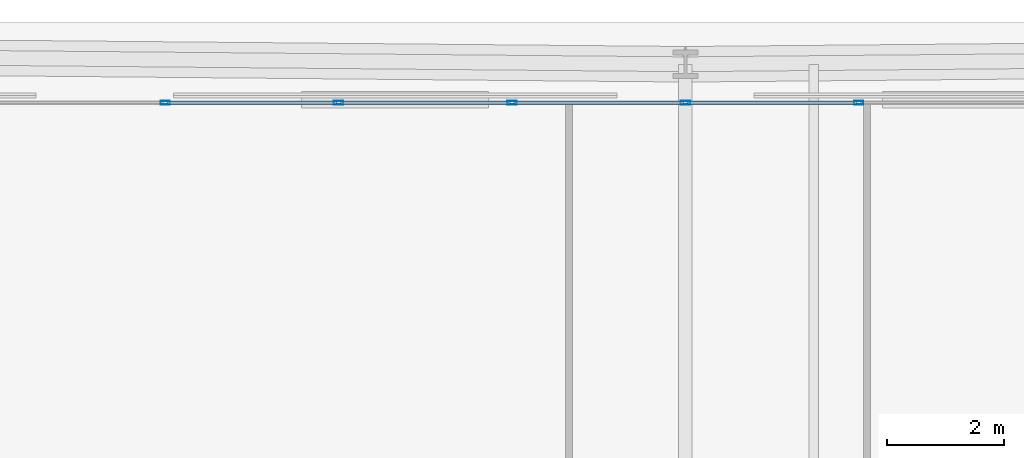
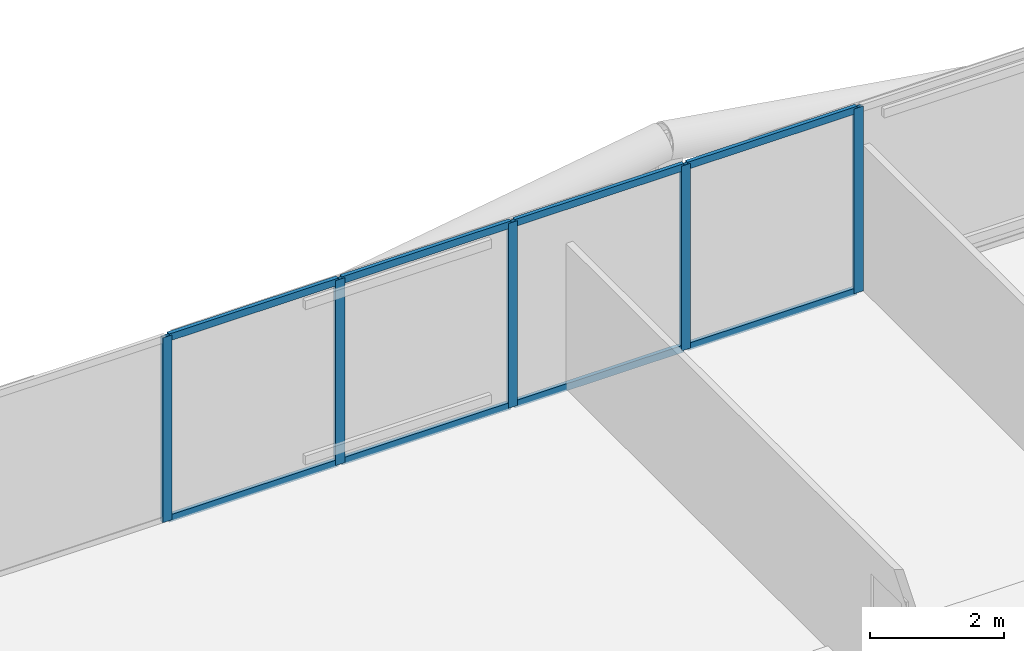
# One storey, part 35 of 50: 13 members, 1 element without a shape of its own.
"""IFC4 building model written with IfcOpenShell, lengths in metres."""

from ifc_helpers import new_model, si_unit, direction, frame, origin, origin_2d, place, context, subcontext, project, spatial, hollow_rectangle, extrude, material, layer, layer_set, material_profile, profile_set, type_object, element, aggregate, save


model = new_model("IFC4")

# Units and contexts
model_context = context("Model", 3, precision=1e-05, world=origin(), true_north=direction((0.0, 1.0)))
body_context = subcontext(model_context, "Body", "Model", "MODEL_VIEW")
ifc_project = project(units=[si_unit("LENGTHUNIT", "METRE"), si_unit("AREAUNIT", "SQUARE_METRE"), si_unit("VOLUMEUNIT", "CUBIC_METRE"), si_unit("PLANEANGLEUNIT", "RADIAN"), si_unit("MASSUNIT", "GRAM", prefix="KILO")], contexts=[model_context])

# Site, building, storey
site_placement = place(None, origin())
site = spatial("IfcSite", under=ifc_project, at=site_placement, CompositionType="ELEMENT")
building_placement = place(site_placement, origin())
building = spatial("IfcBuilding", under=site, at=building_placement, Name="Caelvoria Tower", CompositionType="ELEMENT")
storey_placement = place(building_placement, frame((0.0, 0.0, 71.199951171875)))
storey = spatial("IfcBuildingStorey", under=building, at=storey_placement, Name="L18", CompositionType="ELEMENT", Elevation=71.199951171875)

# Curtain wall, members
ifc_material_1 = material(Name="Anodised Bronze Aluminium and Low-E Glass", Category="aluminium")
ifc_layer = layer(ifc_material_1, 0.18505859375, Name="Anodised Bronze Aluminium and Low-E Glass")
ifc_layer_set = layer_set([ifc_layer], Name="CW System 2 Lower Tower Bronze Unitised Facade - Anodised Bronze Aluminium and Low-E Glass")
curtain_wall_type = type_object("IfcCurtainWallType", Name="CW System 2 Lower Tower Bronze Unitised Facade", PredefinedType="NOTDEFINED", material=ifc_layer_set)
curtain_wall_placement = place(storey_placement, origin())
curtain_wall = element("IfcCurtainWall", 1, at=curtain_wall_placement, inside=storey, type_object=curtain_wall_type, Name="CW-02 Curtain Wall L18-E4", PredefinedType="NOTDEFINED")
ifc_material_2 = material(Name="Anodised Bronze Architectural Aluminium", Category="aluminium")
ifc_material_profile_1 = material_profile(ifc_material_2, hollow_rectangle(XDim=0.06494140625, YDim=0.159912109375, WallThickness=0.00390625, at=origin_2d()), Name="Anodised Bronze Architectural Aluminium")
ifc_profile_set_1 = profile_set([ifc_material_profile_1], Name="CW_MULL_65X160 - Anodised Bronze Architectural Aluminium")
member_type_1 = type_object("IfcMemberType", Name="Curtain Wall Mullion 65x160 Bronze Aluminium", PredefinedType="MULLION", material=ifc_profile_set_1)
member_1_placement = place(storey_placement, frame((48.971435546875, 53.820068359375, 0.0), z_axis=(0.0, 0.0, 1.0), x_axis=(0.0, -1.0, 0.0)))
member_1 = element("IfcMember", 2, at=member_1_placement, type_object=member_type_1, Name="CW-02 mullion 7", PredefinedType="MULLION", context=body_context, shape_type="SweptSolid", body=[
    extrude(hollow_rectangle(XDim=0.06494140625, YDim=0.159912109375, WallThickness=0.00390625, at=origin_2d()), origin(), (0.0, 0.0, 1.0), 3.360107421875),
])
member_2_placement = place(storey_placement, frame((46.0, 53.820068359375, 0.0), z_axis=(0.0, 0.0, 1.0), x_axis=(0.0, -1.0, 0.0)))
member_2 = element("IfcMember", 3, at=member_2_placement, type_object=member_type_1, Name="CW-02 mullion 8", PredefinedType="MULLION", context=body_context, shape_type="SweptSolid", body=[
    extrude(hollow_rectangle(XDim=0.06494140625, YDim=0.159912109375, WallThickness=0.00390625, at=origin_2d()), origin(), (0.0, 0.0, 1.0), 3.360107421875),
])
member_3_placement = place(storey_placement, frame((43.028564453125, 53.820068359375, 0.0), z_axis=(0.0, 0.0, 1.0), x_axis=(0.0, -1.0, 0.0)))
member_3 = element("IfcMember", 4, at=member_3_placement, type_object=member_type_1, Name="CW-02 mullion 9", PredefinedType="MULLION", context=body_context, shape_type="SweptSolid", body=[
    extrude(hollow_rectangle(XDim=0.06494140625, YDim=0.159912109375, WallThickness=0.00390625, at=origin_2d()), origin(), (0.0, 0.0, 1.0), 3.360107421875),
])
member_4_placement = place(storey_placement, frame((40.05712890625, 53.820068359375, 0.0), z_axis=(0.0, 0.0, 1.0), x_axis=(0.0, -1.0, 0.0)))
member_4 = element("IfcMember", 5, at=member_4_placement, type_object=member_type_1, Name="CW-02 mullion 10", PredefinedType="MULLION", context=body_context, shape_type="SweptSolid", body=[
    extrude(hollow_rectangle(XDim=0.06494140625, YDim=0.159912109375, WallThickness=0.00390625, at=origin_2d()), origin(), (0.0, 0.0, 1.0), 3.360107421875),
])
member_5_placement = place(storey_placement, frame((37.085693359375, 53.820068359375, 0.0), z_axis=(0.0, 0.0, 1.0), x_axis=(0.0, -1.0, 0.0)))
member_5 = element("IfcMember", 6, at=member_5_placement, type_object=member_type_1, Name="CW-02 mullion 11", PredefinedType="MULLION", context=body_context, shape_type="SweptSolid", body=[
    extrude(hollow_rectangle(XDim=0.06494140625, YDim=0.159912109375, WallThickness=0.00390625, at=origin_2d()), origin(), (0.0, 0.0, 1.0), 3.360107421875),
])
ifc_material_profile_2 = material_profile(ifc_material_2, hollow_rectangle(XDim=0.06494140625, YDim=0.1298828125, WallThickness=0.00341796875, at=origin_2d()), Name="Anodised Bronze Architectural Aluminium")
ifc_profile_set_2 = profile_set([ifc_material_profile_2], Name="CW_TRAN_65X130 - Anodised Bronze Architectural Aluminium")
member_type_2 = type_object("IfcMemberType", Name="Curtain Wall Transom 65x130 Bronze Aluminium", PredefinedType="USERDEFINED", material=ifc_profile_set_2)
member_6_placement = place(storey_placement, frame((48.93896484375, 53.820068359375, 0.032470703125), z_axis=(-1.0, 0.0, 0.0), x_axis=(0.0, -1.0, 0.0)))
member_6 = element("IfcMember", 7, at=member_6_placement, type_object=member_type_2, Name="CW-02 transom 7.1", ObjectType="TRANSOM", PredefinedType="USERDEFINED", context=body_context, shape_type="SweptSolid", body=[
    extrude(hollow_rectangle(XDim=0.06494140625, YDim=0.1298828125, WallThickness=0.00341796875, at=origin_2d()), origin(), (0.0, 0.0, 1.0), 2.906494140625),
])
member_7_placement = place(storey_placement, frame((48.93896484375, 53.820068359375, 3.32763671875), z_axis=(-1.0, 0.0, 0.0), x_axis=(0.0, -1.0, 0.0)))
member_7 = element("IfcMember", 8, at=member_7_placement, type_object=member_type_2, Name="CW-02 transom 7.2", ObjectType="TRANSOM", PredefinedType="USERDEFINED", context=body_context, shape_type="SweptSolid", body=[
    extrude(hollow_rectangle(XDim=0.06494140625, YDim=0.1298828125, WallThickness=0.00341796875, at=origin_2d()), origin(), (0.0, 0.0, 1.0), 2.906494140625),
])
member_8_placement = place(storey_placement, frame((45.967529296875, 53.820068359375, 0.032470703125), z_axis=(-1.0, 0.0, 0.0), x_axis=(0.0, -1.0, 0.0)))
member_8 = element("IfcMember", 9, at=member_8_placement, type_object=member_type_2, Name="CW-02 transom 8.1", ObjectType="TRANSOM", PredefinedType="USERDEFINED", context=body_context, shape_type="SweptSolid", body=[
    extrude(hollow_rectangle(XDim=0.06494140625, YDim=0.1298828125, WallThickness=0.00341796875, at=origin_2d()), origin(), (0.0, 0.0, 1.0), 2.906494140625),
])
member_9_placement = place(storey_placement, frame((45.967529296875, 53.820068359375, 3.32763671875), z_axis=(-1.0, 0.0, 0.0), x_axis=(0.0, -1.0, 0.0)))
member_9 = element("IfcMember", 10, at=member_9_placement, type_object=member_type_2, Name="CW-02 transom 8.2", ObjectType="TRANSOM", PredefinedType="USERDEFINED", context=body_context, shape_type="SweptSolid", body=[
    extrude(hollow_rectangle(XDim=0.06494140625, YDim=0.1298828125, WallThickness=0.00341796875, at=origin_2d()), origin(), (0.0, 0.0, 1.0), 2.906494140625),
])
member_10_placement = place(storey_placement, frame((42.99609375, 53.820068359375, 0.032470703125), z_axis=(-1.0, 0.0, 0.0), x_axis=(0.0, -1.0, 0.0)))
member_10 = element("IfcMember", 11, at=member_10_placement, type_object=member_type_2, Name="CW-02 transom 9.1", ObjectType="TRANSOM", PredefinedType="USERDEFINED", context=body_context, shape_type="SweptSolid", body=[
    extrude(hollow_rectangle(XDim=0.06494140625, YDim=0.1298828125, WallThickness=0.00341796875, at=origin_2d()), origin(), (0.0, 0.0, 1.0), 2.906494140625),
])
member_11_placement = place(storey_placement, frame((42.99609375, 53.820068359375, 3.32763671875), z_axis=(-1.0, 0.0, 0.0), x_axis=(0.0, -1.0, 0.0)))
member_11 = element("IfcMember", 12, at=member_11_placement, type_object=member_type_2, Name="CW-02 transom 9.2", ObjectType="TRANSOM", PredefinedType="USERDEFINED", context=body_context, shape_type="SweptSolid", body=[
    extrude(hollow_rectangle(XDim=0.06494140625, YDim=0.1298828125, WallThickness=0.00341796875, at=origin_2d()), origin(), (0.0, 0.0, 1.0), 2.906494140625),
])
member_12_placement = place(storey_placement, frame((40.024658203125, 53.820068359375, 0.032470703125), z_axis=(-1.0, 0.0, 0.0), x_axis=(0.0, -1.0, 0.0)))
member_12 = element("IfcMember", 13, at=member_12_placement, type_object=member_type_2, Name="CW-02 transom 10.1", ObjectType="TRANSOM", PredefinedType="USERDEFINED", context=body_context, shape_type="SweptSolid", body=[
    extrude(hollow_rectangle(XDim=0.06494140625, YDim=0.1298828125, WallThickness=0.00341796875, at=origin_2d()), origin(), (0.0, 0.0, 1.0), 2.906494140625),
])
member_13_placement = place(storey_placement, frame((40.024658203125, 53.820068359375, 3.32763671875), z_axis=(-1.0, 0.0, 0.0), x_axis=(0.0, -1.0, 0.0)))
member_13 = element("IfcMember", 14, at=member_13_placement, type_object=member_type_2, Name="CW-02 transom 10.2", ObjectType="TRANSOM", PredefinedType="USERDEFINED", context=body_context, shape_type="SweptSolid", body=[
    extrude(hollow_rectangle(XDim=0.06494140625, YDim=0.1298828125, WallThickness=0.00341796875, at=origin_2d()), origin(), (0.0, 0.0, 1.0), 2.906494140625),
])
aggregate(curtain_wall, [member_1, member_2, member_3, member_4, member_5, member_6, member_7, member_8, member_9, member_10, member_11, member_12, member_13])

save(model, "model.ifc")
